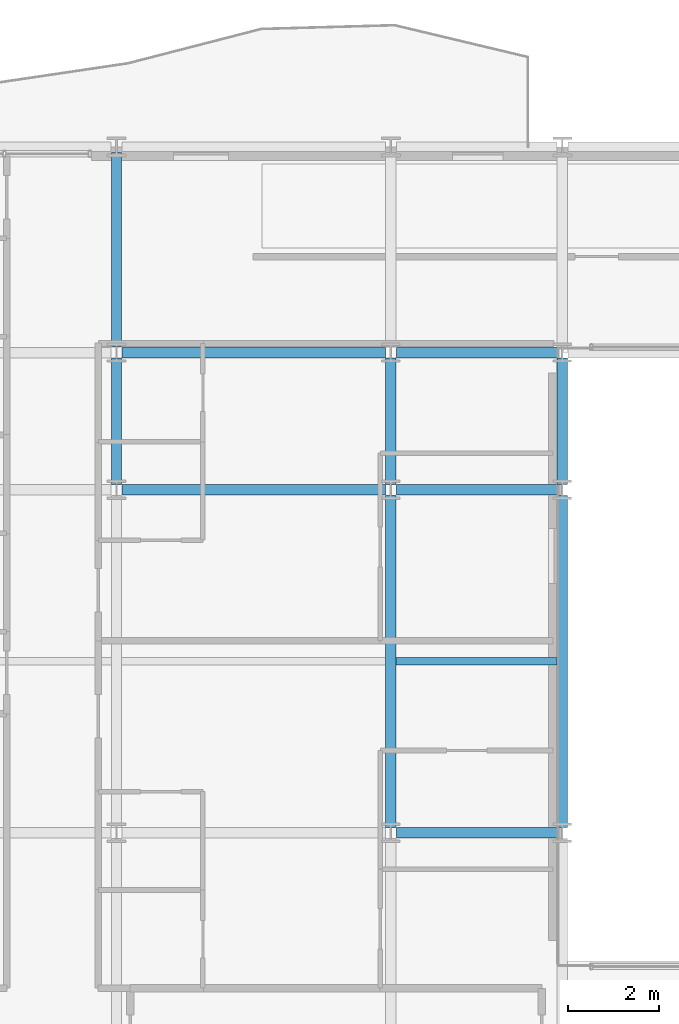
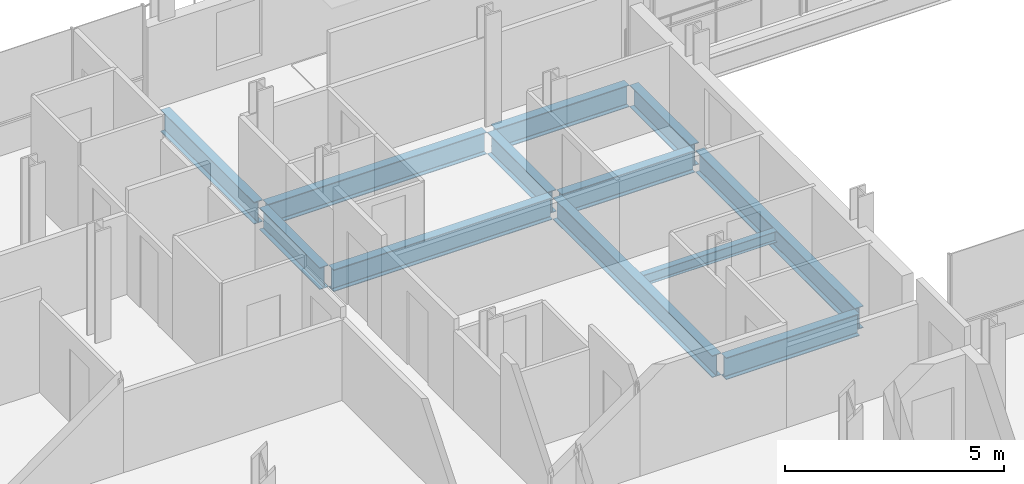
# One storey, part 8 of 41: 12 beams.
"""IFC4 building model written with IfcOpenShell, lengths in metres."""

from ifc_helpers import new_model, si_unit, direction, frame, origin, origin_2d, place, context, subcontext, project, spatial, i_section, extrude, material, material_profile, profile_set, type_object, element, save


model = new_model("IFC4")

# Units and contexts
model_context = context("Model", 3, precision=1e-05, world=origin(), true_north=direction((0.0, 1.0)))
body_context = subcontext(model_context, "Body", "Model", "MODEL_VIEW")
ifc_project = project(units=[si_unit("LENGTHUNIT", "METRE"), si_unit("AREAUNIT", "SQUARE_METRE"), si_unit("VOLUMEUNIT", "CUBIC_METRE"), si_unit("PLANEANGLEUNIT", "RADIAN"), si_unit("MASSUNIT", "GRAM", prefix="KILO")], contexts=[model_context])

# Site, building, storey
site_placement = place(None, origin())
site = spatial("IfcSite", under=ifc_project, at=site_placement, CompositionType="ELEMENT")
building_placement = place(site_placement, origin())
building = spatial("IfcBuilding", under=site, at=building_placement, Name="Brevholm Reach", CompositionType="ELEMENT")
storey_placement = place(building_placement, frame((0.0, 0.0, 106.60009765625)))
storey = spatial("IfcBuildingStorey", under=building, at=storey_placement, Name="L31", CompositionType="ELEMENT", Elevation=106.60009765625)

# Beams
ifc_material_1 = material(Name="Structural Steel S355J2", Category="steel")
ifc_material_profile_1 = material_profile(ifc_material_1, i_section(OverallWidth=0.1650390625, OverallDepth=0.303466796875, WebThickness=0.006103515625, FlangeThickness=0.01025390625, FilletRadius=0.0087890625, at=origin_2d()), Name="UKB 305x165x40")
ifc_profile_set_1 = profile_set([ifc_material_profile_1], Name="Structural Steel S355J2")
beam_type_1 = type_object("IfcBeamType", Name="BM-B305", PredefinedType="BEAM", material=ifc_profile_set_1)
beam_1_placement = place(storey_placement, frame((18.114501953125, 19.75, -0.371826171875), z_axis=(1.0, 0.0, 0.0), x_axis=(0.0, 1.0, 0.0)))
element("IfcBeam", 1, at=beam_1_placement, inside=storey, type_object=beam_type_1, Name="L31 Composite Secondary Floor Beam", PredefinedType="BEAM", context=body_context, shape_type="SweptSolid", body=[
    extrude(i_section(OverallWidth=0.1650390625, OverallDepth=0.303466796875, WebThickness=0.006103515625, FlangeThickness=0.01025390625, FilletRadius=0.0087890625, at=origin_2d()), origin(), (0.0, 0.0, 1.0), 3.52099609375),
])
ifc_material_2 = material(Name="Structural Steel S355J2", Category="steel")
ifc_material_profile_2 = material_profile(ifc_material_2, i_section(OverallWidth=0.22900390625, OverallDepth=0.6123046875, WebThickness=0.011962890625, FlangeThickness=0.01953125, FilletRadius=0.0126953125, at=origin_2d()), Name="UKB 610x229x125")
ifc_profile_set_2 = profile_set([ifc_material_profile_2], Name="Structural Steel S355J2")
beam_type_2 = type_object("IfcBeamType", Name="BM-SP610", PredefinedType="SPANDREL", material=ifc_profile_set_2)
beam_2_placement = place(storey_placement, frame((18.1201171875, 16.0, -0.526123046875), z_axis=(1.0, 0.0, 0.0), x_axis=(0.0, 1.0, 0.0)))
element("IfcBeam", 2, at=beam_2_placement, inside=storey, type_object=beam_type_2, Name="L31 SP-01 Framing Beam", PredefinedType="SPANDREL", context=body_context, shape_type="SweptSolid", body=[
    extrude(i_section(OverallWidth=0.22900390625, OverallDepth=0.6123046875, WebThickness=0.011962890625, FlangeThickness=0.01953125, FilletRadius=0.0126953125, at=origin_2d()), origin(), (0.0, 0.0, 1.0), 3.509765625),
])
beam_3_placement = place(storey_placement, frame((12.1201171875, 23.5, -0.526123046875), z_axis=(1.0, 0.0, 0.0), x_axis=(0.0, 1.0, 0.0)))
element("IfcBeam", 3, at=beam_3_placement, inside=storey, type_object=beam_type_2, Name="L31 SP-01 Framing Beam", PredefinedType="SPANDREL", context=body_context, shape_type="SweptSolid", body=[
    extrude(i_section(OverallWidth=0.22900390625, OverallDepth=0.6123046875, WebThickness=0.011962890625, FlangeThickness=0.01953125, FilletRadius=0.0126953125, at=origin_2d()), origin(), (0.0, 0.0, 1.0), 5.759765625),
])
beam_4_placement = place(storey_placement, frame((18.1201171875, 23.5, -0.526123046875), z_axis=(1.0, 0.0, 0.0), x_axis=(0.0, 1.0, 0.0)))
element("IfcBeam", 4, at=beam_4_placement, inside=storey, type_object=beam_type_2, Name="L31 SP-01 Framing Beam", PredefinedType="SPANDREL", context=body_context, shape_type="SweptSolid", body=[
    extrude(i_section(OverallWidth=0.22900390625, OverallDepth=0.6123046875, WebThickness=0.011962890625, FlangeThickness=0.01953125, FilletRadius=0.0126953125, at=origin_2d()), origin(), (0.0, 0.0, 1.0), 3.509765625),
])
beam_5_placement = place(storey_placement, frame((12.1201171875, 26.5, -0.526123046875), z_axis=(1.0, 0.0, 0.0), x_axis=(0.0, 1.0, 0.0)))
element("IfcBeam", 5, at=beam_5_placement, inside=storey, type_object=beam_type_2, Name="L31 SP-01 Framing Beam", PredefinedType="SPANDREL", context=body_context, shape_type="SweptSolid", body=[
    extrude(i_section(OverallWidth=0.22900390625, OverallDepth=0.6123046875, WebThickness=0.011962890625, FlangeThickness=0.01953125, FilletRadius=0.0126953125, at=origin_2d()), origin(), (0.0, 0.0, 1.0), 5.759765625),
])
beam_6_placement = place(storey_placement, frame((18.1201171875, 26.5, -0.526123046875), z_axis=(1.0, 0.0, 0.0), x_axis=(0.0, 1.0, 0.0)))
element("IfcBeam", 6, at=beam_6_placement, inside=storey, type_object=beam_type_2, Name="L31 SP-01 Framing Beam", PredefinedType="SPANDREL", context=body_context, shape_type="SweptSolid", body=[
    extrude(i_section(OverallWidth=0.22900390625, OverallDepth=0.6123046875, WebThickness=0.011962890625, FlangeThickness=0.01953125, FilletRadius=0.0126953125, at=origin_2d()), origin(), (0.0, 0.0, 1.0), 3.509765625),
])
beam_7_placement = place(storey_placement, frame((12.0, 23.6201171875, -0.526123046875), z_axis=(0.0, 1.0, 0.0), x_axis=(-1.0, 0.0, 0.0)))
element("IfcBeam", 7, at=beam_7_placement, inside=storey, type_object=beam_type_2, Name="L31 SP-01 Framing Beam", PredefinedType="SPANDREL", context=body_context, shape_type="SweptSolid", body=[
    extrude(i_section(OverallWidth=0.22900390625, OverallDepth=0.6123046875, WebThickness=0.011962890625, FlangeThickness=0.01953125, FilletRadius=0.0126953125, at=origin_2d()), origin(), (0.0, 0.0, 1.0), 2.759765625),
])
beam_8_placement = place(storey_placement, frame((12.0, 26.6201171875, -0.526123046875), z_axis=(0.0, 1.0, 0.0), x_axis=(-1.0, 0.0, 0.0)))
element("IfcBeam", 8, at=beam_8_placement, inside=storey, type_object=beam_type_2, Name="L31 SP-01 Framing Beam", PredefinedType="SPANDREL", context=body_context, shape_type="SweptSolid", body=[
    extrude(i_section(OverallWidth=0.22900390625, OverallDepth=0.6123046875, WebThickness=0.011962890625, FlangeThickness=0.01953125, FilletRadius=0.0126953125, at=origin_2d()), origin(), (0.0, 0.0, 1.0), 4.259765625),
])
beam_9_placement = place(storey_placement, frame((18.0, 16.1201171875, -0.526123046875), z_axis=(0.0, 1.0, 0.0), x_axis=(-1.0, 0.0, 0.0)))
element("IfcBeam", 9, at=beam_9_placement, inside=storey, type_object=beam_type_2, Name="L31 SP-01 Framing Beam", PredefinedType="SPANDREL", context=body_context, shape_type="SweptSolid", body=[
    extrude(i_section(OverallWidth=0.22900390625, OverallDepth=0.6123046875, WebThickness=0.011962890625, FlangeThickness=0.01953125, FilletRadius=0.0126953125, at=origin_2d()), origin(), (0.0, 0.0, 1.0), 7.259765625),
])
beam_10_placement = place(storey_placement, frame((18.0, 23.6201171875, -0.526123046875), z_axis=(0.0, 1.0, 0.0), x_axis=(-1.0, 0.0, 0.0)))
element("IfcBeam", 10, at=beam_10_placement, inside=storey, type_object=beam_type_2, Name="L31 SP-01 Framing Beam", PredefinedType="SPANDREL", context=body_context, shape_type="SweptSolid", body=[
    extrude(i_section(OverallWidth=0.22900390625, OverallDepth=0.6123046875, WebThickness=0.011962890625, FlangeThickness=0.01953125, FilletRadius=0.0126953125, at=origin_2d()), origin(), (0.0, 0.0, 1.0), 2.759765625),
])
beam_11_placement = place(storey_placement, frame((21.75, 16.1201171875, -0.526123046875), z_axis=(0.0, 1.0, 0.0), x_axis=(-1.0, 0.0, 0.0)))
element("IfcBeam", 11, at=beam_11_placement, inside=storey, type_object=beam_type_2, Name="L31 SP-01 Framing Beam", PredefinedType="SPANDREL", context=body_context, shape_type="SweptSolid", body=[
    extrude(i_section(OverallWidth=0.22900390625, OverallDepth=0.6123046875, WebThickness=0.011962890625, FlangeThickness=0.01953125, FilletRadius=0.0126953125, at=origin_2d()), origin(), (0.0, 0.0, 1.0), 7.259765625),
])
beam_12_placement = place(storey_placement, frame((21.75, 23.6201171875, -0.526123046875), z_axis=(0.0, 1.0, 0.0), x_axis=(-1.0, 0.0, 0.0)))
element("IfcBeam", 12, at=beam_12_placement, inside=storey, type_object=beam_type_2, Name="L31 SP-01 Framing Beam", PredefinedType="SPANDREL", context=body_context, shape_type="SweptSolid", body=[
    extrude(i_section(OverallWidth=0.22900390625, OverallDepth=0.6123046875, WebThickness=0.011962890625, FlangeThickness=0.01953125, FilletRadius=0.0126953125, at=origin_2d()), origin(), (0.0, 0.0, 1.0), 2.759765625),
])

save(model, "model.ifc")
